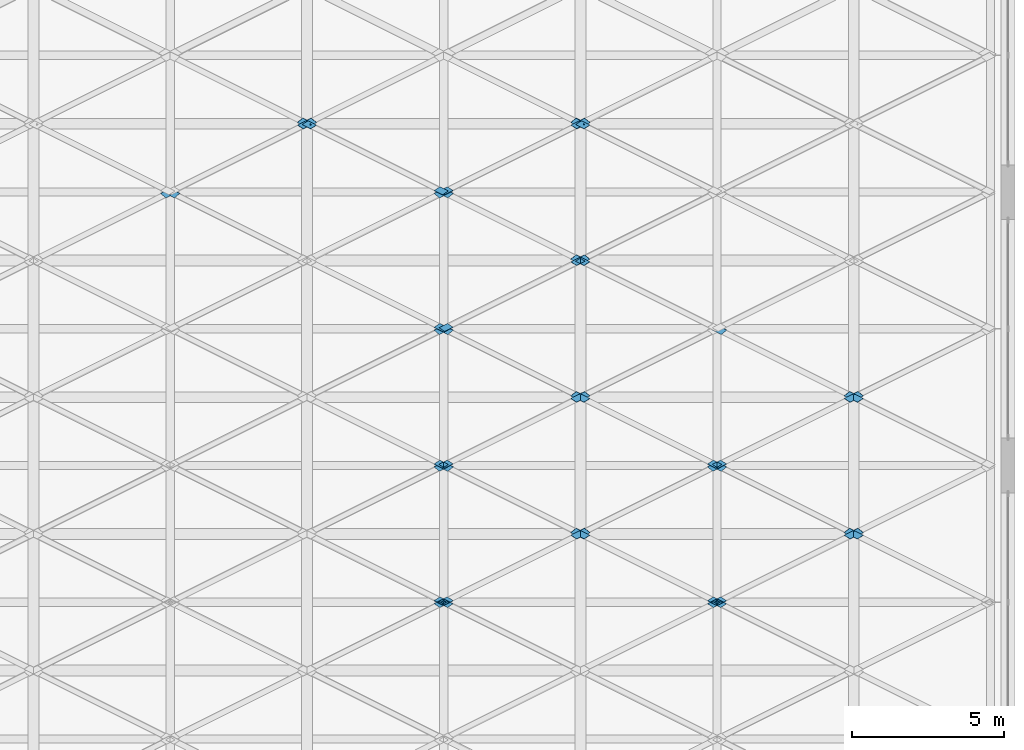
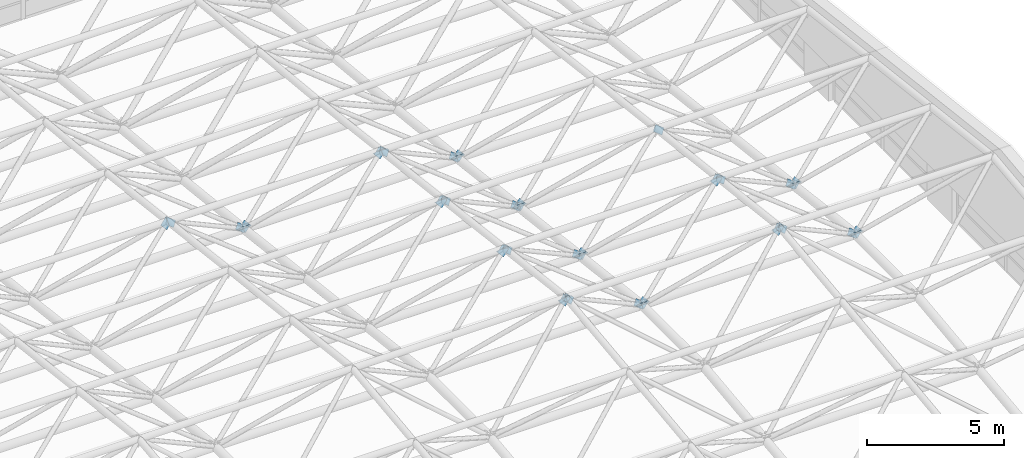
# One storey, part 48 of 53: 55 discrete accessories.
"""IFC4 building model written with IfcOpenShell, lengths in metres."""

from ifc_helpers import new_model, si_unit, direction, frame, origin, place, context, subcontext, project, spatial, polyline, outline, extrude, material, layer, layer_set, type_object, element, save


model = new_model("IFC4")

# Units and contexts
model_context = context("Model", 3, precision=1e-05, world=origin(), true_north=direction((0.0, 1.0)))
body_context = subcontext(model_context, "Body", "Model", "MODEL_VIEW")
ifc_project = project(units=[si_unit("LENGTHUNIT", "METRE"), si_unit("AREAUNIT", "SQUARE_METRE"), si_unit("VOLUMEUNIT", "CUBIC_METRE"), si_unit("PLANEANGLEUNIT", "RADIAN"), si_unit("MASSUNIT", "GRAM", prefix="KILO")], contexts=[model_context])

# Site, building, storey
site_placement = place(None, origin())
site = spatial("IfcSite", under=ifc_project, at=site_placement, CompositionType="ELEMENT")
building_placement = place(site_placement, origin())
building = spatial("IfcBuilding", under=site, at=building_placement, Name="Aravalli Gate Trade Fair Centre", CompositionType="ELEMENT")
storey_placement = place(building_placement, frame((0.0, 0.0, 25.199951171875)))
storey = spatial("IfcBuildingStorey", under=building, at=storey_placement, Name="ROOF LEVEL 2", CompositionType="ELEMENT", Elevation=25.199951171875)

# Discrete accessories
ifc_material = material(Name="Steel E350", Category="steel")
ifc_layer = layer(ifc_material, 0.011962890625)
ifc_layer_set = layer_set([ifc_layer], Name="Steel E350")
discrete_accessory_type = type_object("IfcDiscreteAccessoryType", Name="Gusset plate 291 x 291 x 12", PredefinedType="USERDEFINED", material=ifc_layer_set)
for number, where, z_axis, x_axis, name in (
    (1, (87.121826171875, 77.324462890625, 5.08544921875), (0.000136804439, -0.823750482353, 0.566952488404), (-0.749929392198, 0.374964696099, 0.54498383774), "Gusset plate Space frame web diagonal D3C end A"),
    (2, (96.121826171875, 77.324462890625, 5.08544921875), (0.000136804439, -0.823750482353, 0.566952488404), (-0.749929392198, 0.374964696099, 0.54498383774), "Gusset plate Space frame web diagonal D3C end A"),
):
    element("IfcDiscreteAccessory", number, at=place(storey_placement, frame(where, z_axis=z_axis, x_axis=x_axis)), inside=storey, type_object=discrete_accessory_type, Name=name, ObjectType="GUSSET PLATE", PredefinedType="USERDEFINED", context=body_context, shape_type="SweptSolid", body=[
        extrude(outline(polyline([(0.0, 0.0), (0.37047758647752815, -1.3877787807814457e-17), (0.37050220203048867, -0.2904791260615137), (2.461555296055795e-05, -0.2904791260615137), (0.0, 0.0)])), origin(), (0.0, 0.0, -1.0), 0.011962890625),
    ])
for number, where, z_axis, x_axis, name in (
    (3, (86.68603515625, 77.447998046875, 5.264892578125), (-0.000136804439, -0.823750482353, 0.566952488404), (0.749929392198, 0.374964696099, 0.54498383774), "Gusset plate Space frame web diagonal D3D end A"),
    (4, (95.68603515625, 77.447998046875, 5.264892578125), (-0.000136804439, -0.823750482353, 0.566952488404), (0.749929392198, 0.374964696099, 0.54498383774), "Gusset plate Space frame web diagonal D3D end A"),
):
    element("IfcDiscreteAccessory", number, at=place(storey_placement, frame(where, z_axis=z_axis, x_axis=x_axis)), inside=storey, type_object=discrete_accessory_type, Name=name, ObjectType="GUSSET PLATE", PredefinedType="USERDEFINED", context=body_context, shape_type="SweptSolid", body=[
        extrude(outline(polyline([(0.0, 0.0), (0.37047758647752815, 1.3877787807814457e-17), (0.37045297092456764, -0.2904791260615137), (-2.461555296055795e-05, -0.2904791260615137), (0.0, 0.0)])), origin(), (0.0, 0.0, -1.0), 0.011962890625),
    ])
discrete_accessory_1_placement = place(storey_placement, frame((87.121826171875, 77.675537109375, 5.08544921875), z_axis=(0.000136804439, 0.823750482353, 0.566952488404), x_axis=(-0.749929392198, -0.374964696099, 0.54498383774)))
element("IfcDiscreteAccessory", 5, at=discrete_accessory_1_placement, inside=storey, type_object=discrete_accessory_type, Name="Gusset plate Space frame web diagonal D4A end A", ObjectType="GUSSET PLATE", PredefinedType="USERDEFINED", context=body_context, shape_type="SweptSolid", body=[
    extrude(outline(polyline([(0.0, 0.0), (0.37047758647752815, 1.3877787807814457e-17), (0.37050220203048867, 0.2904791260615137), (2.461555296055795e-05, 0.2904791260615137), (0.0, 0.0)])), origin(), (0.0, 0.0, -1.0), 0.011962890625),
])
discrete_accessory_2_placement = place(storey_placement, frame((91.18603515625, 79.707763671875, 2.132080078125), z_axis=(0.000136804439, 0.823750482353, 0.566952488404), x_axis=(0.749929392198, 0.374964696099, -0.54498383774)))
element("IfcDiscreteAccessory", 6, at=discrete_accessory_2_placement, inside=storey, type_object=discrete_accessory_type, Name="Gusset plate Space frame web diagonal D4A end B", ObjectType="GUSSET PLATE", PredefinedType="USERDEFINED", context=body_context, shape_type="SweptSolid", body=[
    extrude(outline(polyline([(0.0, 0.0), (0.37047758647752815, 1.3877787807814457e-17), (0.37045297092456764, -0.2904791260615137), (-2.461555296055795e-05, -0.2904791260615137), (0.0, 0.0)])), origin(), (0.0, 0.0, -1.0), 0.011962890625),
])
discrete_accessory_3_placement = place(storey_placement, frame((96.121826171875, 77.675537109375, 5.08544921875), z_axis=(0.000136804439, 0.823750482353, 0.566952488404), x_axis=(-0.749929392198, -0.374964696099, 0.54498383774)))
element("IfcDiscreteAccessory", 7, at=discrete_accessory_3_placement, inside=storey, type_object=discrete_accessory_type, Name="Gusset plate Space frame web diagonal D4A end A", ObjectType="GUSSET PLATE", PredefinedType="USERDEFINED", context=body_context, shape_type="SweptSolid", body=[
    extrude(outline(polyline([(0.0, 0.0), (0.37047758647752815, 1.3877787807814457e-17), (0.37050220203048867, 0.2904791260615137), (2.461555296055795e-05, 0.2904791260615137), (0.0, 0.0)])), origin(), (0.0, 0.0, -1.0), 0.011962890625),
])
discrete_accessory_4_placement = place(storey_placement, frame((100.18603515625, 79.707763671875, 2.132080078125), z_axis=(0.000136804439, 0.823750482353, 0.566952488404), x_axis=(0.749929392198, 0.374964696099, -0.54498383774)))
element("IfcDiscreteAccessory", 8, at=discrete_accessory_4_placement, inside=storey, type_object=discrete_accessory_type, Name="Gusset plate Space frame web diagonal D4A end B", ObjectType="GUSSET PLATE", PredefinedType="USERDEFINED", context=body_context, shape_type="SweptSolid", body=[
    extrude(outline(polyline([(0.0, 0.0), (0.37047758647752815, 1.3877787807814457e-17), (0.37045297092456764, -0.2904791260615137), (-2.461555296055795e-05, -0.2904791260615137), (0.0, 0.0)])), origin(), (0.0, 0.0, -1.0), 0.011962890625),
])
discrete_accessory_5_placement = place(storey_placement, frame((87.121826171875, 82.175537109375, 4.54541015625), z_axis=(0.000136804439, 0.823750482353, 0.566952488404), x_axis=(-0.749929392198, -0.374964696099, 0.54498383774)))
element("IfcDiscreteAccessory", 9, at=discrete_accessory_5_placement, inside=storey, type_object=discrete_accessory_type, Name="Gusset plate Space frame web diagonal D4A end A", ObjectType="GUSSET PLATE", PredefinedType="USERDEFINED", context=body_context, shape_type="SweptSolid", body=[
    extrude(outline(polyline([(0.0, 0.0), (0.37047758647752815, 1.3877787807814457e-17), (0.37050220203048867, 0.2904791260615137), (2.461555296055795e-05, 0.2904791260615137), (0.0, 0.0)])), origin(), (0.0, 0.0, -1.0), 0.011962890625),
])
discrete_accessory_6_placement = place(storey_placement, frame((91.18603515625, 84.207763671875, 1.592041015625), z_axis=(0.000136804439, 0.823750482353, 0.566952488404), x_axis=(0.749929392198, 0.374964696099, -0.54498383774)))
element("IfcDiscreteAccessory", 10, at=discrete_accessory_6_placement, inside=storey, type_object=discrete_accessory_type, Name="Gusset plate Space frame web diagonal D4A end B", ObjectType="GUSSET PLATE", PredefinedType="USERDEFINED", context=body_context, shape_type="SweptSolid", body=[
    extrude(outline(polyline([(0.0, 0.0), (0.37047758647752815, 1.3877787807814457e-17), (0.37045297092456764, -0.2904791260615137), (-2.461555296055795e-05, -0.2904791260615137), (0.0, 0.0)])), origin(), (0.0, 0.0, -1.0), 0.011962890625),
])
discrete_accessory_7_placement = place(storey_placement, frame((96.121826171875, 82.175537109375, 4.54541015625), z_axis=(0.000136804439, 0.823750482353, 0.566952488404), x_axis=(-0.749929392198, -0.374964696099, 0.54498383774)))
element("IfcDiscreteAccessory", 11, at=discrete_accessory_7_placement, inside=storey, type_object=discrete_accessory_type, Name="Gusset plate Space frame web diagonal D4A end A", ObjectType="GUSSET PLATE", PredefinedType="USERDEFINED", context=body_context, shape_type="SweptSolid", body=[
    extrude(outline(polyline([(0.0, 0.0), (0.37047758647752815, 1.3877787807814457e-17), (0.37050220203048867, 0.2904791260615137), (2.461555296055795e-05, 0.2904791260615137), (0.0, 0.0)])), origin(), (0.0, 0.0, -1.0), 0.011962890625),
])
discrete_accessory_8_placement = place(storey_placement, frame((100.18603515625, 84.207763671875, 1.592041015625), z_axis=(0.000136804439, 0.823750482353, 0.566952488404), x_axis=(0.749929392198, 0.374964696099, -0.54498383774)))
element("IfcDiscreteAccessory", 12, at=discrete_accessory_8_placement, inside=storey, type_object=discrete_accessory_type, Name="Gusset plate Space frame web diagonal D4A end B", ObjectType="GUSSET PLATE", PredefinedType="USERDEFINED", context=body_context, shape_type="SweptSolid", body=[
    extrude(outline(polyline([(0.0, 0.0), (0.37047758647752815, 1.3877787807814457e-17), (0.37045297092456764, -0.2904791260615137), (-2.461555296055795e-05, -0.2904791260615137), (0.0, 0.0)])), origin(), (0.0, 0.0, -1.0), 0.011962890625),
])
for number, where, z_axis, x_axis, name in (
    (13, (86.68603515625, 77.552001953125, 5.264892578125), (-0.000136804439, 0.823750482353, 0.566952488404), (0.749929392198, -0.374964696099, 0.54498383774), "Gusset plate Space frame web diagonal D4B end A"),
    (14, (95.68603515625, 77.552001953125, 5.264892578125), (-0.000136804439, 0.823750482353, 0.566952488404), (0.749929392198, -0.374964696099, 0.54498383774), "Gusset plate Space frame web diagonal D4B end A"),
):
    element("IfcDiscreteAccessory", number, at=place(storey_placement, frame(where, z_axis=z_axis, x_axis=x_axis)), inside=storey, type_object=discrete_accessory_type, Name=name, ObjectType="GUSSET PLATE", PredefinedType="USERDEFINED", context=body_context, shape_type="SweptSolid", body=[
        extrude(outline(polyline([(0.0, 0.0), (0.37047758647752815, -1.3877787807814457e-17), (0.37045297092456764, 0.2904791260615137), (-2.461555296055795e-05, 0.2904791260615137), (0.0, 0.0)])), origin(), (0.0, 0.0, -1.0), 0.011962890625),
    ])
for number, where, z_axis, x_axis, name in (
    (15, (91.621826171875, 79.584228515625, 2.3115234375), (-0.000136804439, 0.823750482353, 0.566952488404), (-0.749929392198, 0.374964696099, -0.54498383774), "Gusset plate Space frame web diagonal D4B end B"),
    (16, (100.621826171875, 79.584228515625, 2.3115234375), (-0.000136804439, 0.823750482353, 0.566952488404), (-0.749929392198, 0.374964696099, -0.54498383774), "Gusset plate Space frame web diagonal D4B end B"),
):
    element("IfcDiscreteAccessory", number, at=place(storey_placement, frame(where, z_axis=z_axis, x_axis=x_axis)), inside=storey, type_object=discrete_accessory_type, Name=name, ObjectType="GUSSET PLATE", PredefinedType="USERDEFINED", context=body_context, shape_type="SweptSolid", body=[
        extrude(outline(polyline([(0.0, 0.0), (0.37047758647752815, -1.3877787807814457e-17), (0.37050220203048867, -0.2904791260615137), (2.461555296055795e-05, -0.2904791260615137), (0.0, 0.0)])), origin(), (0.0, 0.0, -1.0), 0.011962890625),
    ])
for number, where, z_axis, x_axis, name in (
    (17, (86.68603515625, 82.052001953125, 4.724853515625), (-0.000136804439, 0.823750482353, 0.566952488404), (0.749929392198, -0.374964696099, 0.54498383774), "Gusset plate Space frame web diagonal D4B end A"),
    (18, (95.68603515625, 82.052001953125, 4.724853515625), (-0.000136804439, 0.823750482353, 0.566952488404), (0.749929392198, -0.374964696099, 0.54498383774), "Gusset plate Space frame web diagonal D4B end A"),
):
    element("IfcDiscreteAccessory", number, at=place(storey_placement, frame(where, z_axis=z_axis, x_axis=x_axis)), inside=storey, type_object=discrete_accessory_type, Name=name, ObjectType="GUSSET PLATE", PredefinedType="USERDEFINED", context=body_context, shape_type="SweptSolid", body=[
        extrude(outline(polyline([(0.0, 0.0), (0.37047758647752815, -1.3877787807814457e-17), (0.37045297092456764, 0.2904791260615137), (-2.461555296055795e-05, 0.2904791260615137), (0.0, 0.0)])), origin(), (0.0, 0.0, -1.0), 0.011962890625),
    ])
for number, where, z_axis, x_axis, name in (
    (19, (91.621826171875, 84.084228515625, 1.771484375), (-0.000136804439, 0.823750482353, 0.566952488404), (-0.749929392198, 0.374964696099, -0.54498383774), "Gusset plate Space frame web diagonal D4B end B"),
    (20, (100.621826171875, 84.084228515625, 1.771484375), (-0.000136804439, 0.823750482353, 0.566952488404), (-0.749929392198, 0.374964696099, -0.54498383774), "Gusset plate Space frame web diagonal D4B end B"),
):
    element("IfcDiscreteAccessory", number, at=place(storey_placement, frame(where, z_axis=z_axis, x_axis=x_axis)), inside=storey, type_object=discrete_accessory_type, Name=name, ObjectType="GUSSET PLATE", PredefinedType="USERDEFINED", context=body_context, shape_type="SweptSolid", body=[
        extrude(outline(polyline([(0.0, 0.0), (0.37047758647752815, -1.3877787807814457e-17), (0.37050220203048867, -0.2904791260615137), (2.461555296055795e-05, -0.2904791260615137), (0.0, 0.0)])), origin(), (0.0, 0.0, -1.0), 0.011962890625),
    ])
discrete_accessory_9_placement = place(storey_placement, frame((87.138671875, 81.80859375, 4.567138671875), z_axis=(0.000259688153, -0.77158167438, 0.636130216483), x_axis=(-0.786189750281, 0.392961505637, 0.476955901148)))
element("IfcDiscreteAccessory", 21, at=discrete_accessory_9_placement, inside=storey, type_object=discrete_accessory_type, Name="Gusset plate Space frame web diagonal D4C end A", ObjectType="GUSSET PLATE", PredefinedType="USERDEFINED", context=body_context, shape_type="SweptSolid", body=[
    extrude(outline(polyline([(0.0, 0.0), (0.37047009323158403, 1.3877787807814457e-17), (0.3706453255393415, -0.29059138113822636), (7.929444017017173e-05, -0.29046925152010133), (0.0, 0.0)])), origin(), (0.0, 0.0, -1.0), 0.011962890625),
])
discrete_accessory_10_placement = place(storey_placement, frame((91.181884765625, 79.786865234375, 2.1142578125), z_axis=(0.000259222443, -0.771843687699, 0.635812279342), x_axis=(0.78618965885, -0.392765328311, -0.477117613586)))
element("IfcDiscreteAccessory", 22, at=discrete_accessory_10_placement, inside=storey, type_object=discrete_accessory_type, Name="Gusset plate Space frame web diagonal D4C end B", ObjectType="GUSSET PLATE", PredefinedType="USERDEFINED", context=body_context, shape_type="SweptSolid", body=[
    extrude(outline(polyline([(0.0, 0.0), (0.3704701052045229, 2.7755575615628914e-17), (0.3703907868210381, 0.2904692667840814), (-7.931838348480824e-05, 0.2904692667840814), (0.0, 0.0)])), origin(), (0.0, 0.0, -1.0), 0.011962890625),
])
discrete_accessory_11_placement = place(storey_placement, frame((96.138671875, 81.80859375, 4.567138671875), z_axis=(0.000259688153, -0.77158167438, 0.636130216483), x_axis=(-0.786189750281, 0.392961505637, 0.476955901148)))
element("IfcDiscreteAccessory", 23, at=discrete_accessory_11_placement, inside=storey, type_object=discrete_accessory_type, Name="Gusset plate Space frame web diagonal D4C end A", ObjectType="GUSSET PLATE", PredefinedType="USERDEFINED", context=body_context, shape_type="SweptSolid", body=[
    extrude(outline(polyline([(0.0, 0.0), (0.37047009323158403, 1.3877787807814457e-17), (0.3706453255393415, -0.29059138113822636), (7.929444017017173e-05, -0.29046925152010133), (0.0, 0.0)])), origin(), (0.0, 0.0, -1.0), 0.011962890625),
])
discrete_accessory_12_placement = place(storey_placement, frame((100.181884765625, 79.786865234375, 2.1142578125), z_axis=(0.000259222443, -0.771843687699, 0.635812279342), x_axis=(0.78618965885, -0.392765328311, -0.477117613586)))
element("IfcDiscreteAccessory", 24, at=discrete_accessory_12_placement, inside=storey, type_object=discrete_accessory_type, Name="Gusset plate Space frame web diagonal D4C end B", ObjectType="GUSSET PLATE", PredefinedType="USERDEFINED", context=body_context, shape_type="SweptSolid", body=[
    extrude(outline(polyline([(0.0, 0.0), (0.3704701052045229, 2.7755575615628914e-17), (0.3703907868210381, 0.2904692667840814), (-7.931838348480824e-05, 0.2904692667840814), (0.0, 0.0)])), origin(), (0.0, 0.0, -1.0), 0.011962890625),
])
discrete_accessory_13_placement = place(storey_placement, frame((87.138671875, 86.30859375, 4.027099609375), z_axis=(0.000259688153, -0.77158167438, 0.636130216483), x_axis=(-0.786189750281, 0.392961505637, 0.476955901148)))
element("IfcDiscreteAccessory", 25, at=discrete_accessory_13_placement, inside=storey, type_object=discrete_accessory_type, Name="Gusset plate Space frame web diagonal D4C end A", ObjectType="GUSSET PLATE", PredefinedType="USERDEFINED", context=body_context, shape_type="SweptSolid", body=[
    extrude(outline(polyline([(0.0, 0.0), (0.37047009323158403, 1.3877787807814457e-17), (0.3706453255393415, -0.29059138113822636), (7.929444017017173e-05, -0.29046925152010133), (0.0, 0.0)])), origin(), (0.0, 0.0, -1.0), 0.011962890625),
])
discrete_accessory_14_placement = place(storey_placement, frame((91.181884765625, 84.286865234375, 1.574462890625), z_axis=(0.000589123978, -0.771792295466, 0.635874441689), x_axis=(0.785942550469, -0.392803472142, -0.477493182816)))
element("IfcDiscreteAccessory", 26, at=discrete_accessory_14_placement, inside=storey, type_object=discrete_accessory_type, Name="Gusset plate Space frame web diagonal D4C end B", ObjectType="GUSSET PLATE", PredefinedType="USERDEFINED", context=body_context, shape_type="SweptSolid", body=[
    extrude(outline(polyline([(0.0, 0.0), (0.3705866429803553, 2.7755575615628914e-17), (0.37039124031354775, 0.29046920151748473), (-7.882718272163303e-05, 0.29032116611826925), (0.0, 0.0)])), origin(), (0.0, 0.0, -1.0), 0.011962890625),
])
discrete_accessory_15_placement = place(storey_placement, frame((96.138671875, 86.30859375, 4.027099609375), z_axis=(0.000259688153, -0.77158167438, 0.636130216483), x_axis=(-0.786189750281, 0.392961505637, 0.476955901148)))
element("IfcDiscreteAccessory", 27, at=discrete_accessory_15_placement, inside=storey, type_object=discrete_accessory_type, Name="Gusset plate Space frame web diagonal D4C end A", ObjectType="GUSSET PLATE", PredefinedType="USERDEFINED", context=body_context, shape_type="SweptSolid", body=[
    extrude(outline(polyline([(0.0, 0.0), (0.37047009323158403, 1.3877787807814457e-17), (0.3706453255393415, -0.29059138113822636), (7.929444017017173e-05, -0.29046925152010133), (0.0, 0.0)])), origin(), (0.0, 0.0, -1.0), 0.011962890625),
])
discrete_accessory_16_placement = place(storey_placement, frame((100.181884765625, 84.286865234375, 1.574462890625), z_axis=(0.000589123978, -0.771792295466, 0.635874441689), x_axis=(0.785942550469, -0.392803472142, -0.477493182816)))
element("IfcDiscreteAccessory", 28, at=discrete_accessory_16_placement, inside=storey, type_object=discrete_accessory_type, Name="Gusset plate Space frame web diagonal D4C end B", ObjectType="GUSSET PLATE", PredefinedType="USERDEFINED", context=body_context, shape_type="SweptSolid", body=[
    extrude(outline(polyline([(0.0, 0.0), (0.3705866429803553, 2.7755575615628914e-17), (0.37039124031354775, 0.29046920151748473), (-7.882718272163303e-05, 0.29032116611826925), (0.0, 0.0)])), origin(), (0.0, 0.0, -1.0), 0.011962890625),
])
for number, where, z_axis, x_axis, name in (
    (29, (86.681884765625, 81.953857421875, 4.743408203125), (-0.000259688153, -0.77158167438, 0.636130216483), (0.785986034617, 0.393126352276, 0.477155765483), "Gusset plate Space frame web diagonal D4D end A"),
    (30, (95.681884765625, 81.953857421875, 4.743408203125), (-0.000259688153, -0.77158167438, 0.636130216483), (0.785986034617, 0.393126352276, 0.477155765483), "Gusset plate Space frame web diagonal D4D end A"),
):
    element("IfcDiscreteAccessory", number, at=place(storey_placement, frame(where, z_axis=z_axis, x_axis=x_axis)), inside=storey, type_object=discrete_accessory_type, Name=name, ObjectType="GUSSET PLATE", PredefinedType="USERDEFINED", context=body_context, shape_type="SweptSolid", body=[
        extrude(outline(polyline([(0.0, 0.0), (0.3705660512246577, -1.3877787807814457e-17), (0.3702950470274762, -0.2905913076038385), (-0.0001750260838329909, -0.2904692096111498), (0.0, 0.0)])), origin(), (0.0, 0.0, -1.0), 0.011962890625),
    ])
for number, where, z_axis, x_axis, name in (
    (31, (91.638671875, 79.93212890625, 2.29052734375), (-0.000259222443, -0.771843687699, 0.635812279342), (-0.78618965885, -0.392765328311, -0.477117613586), "Gusset plate Space frame web diagonal D4D end B"),
    (32, (100.638671875, 79.93212890625, 2.29052734375), (-0.000259222443, -0.771843687699, 0.635812279342), (-0.78618965885, -0.392765328311, -0.477117613586), "Gusset plate Space frame web diagonal D4D end B"),
):
    element("IfcDiscreteAccessory", number, at=place(storey_placement, frame(where, z_axis=z_axis, x_axis=x_axis)), inside=storey, type_object=discrete_accessory_type, Name=name, ObjectType="GUSSET PLATE", PredefinedType="USERDEFINED", context=body_context, shape_type="SweptSolid", body=[
        extrude(outline(polyline([(0.0, 0.0), (0.3704701052045229, -2.7755575615628914e-17), (0.3705494235880077, 0.29046926678408136), (7.931838348480824e-05, 0.2904692667840814), (0.0, 0.0)])), origin(), (0.0, 0.0, -1.0), 0.011962890625),
    ])
discrete_accessory_17_placement = place(storey_placement, frame((86.681884765625, 86.453857421875, 4.203369140625), z_axis=(-0.000259688153, -0.77158167438, 0.636130216483), x_axis=(0.785986034617, 0.393126352276, 0.477155765483)))
element("IfcDiscreteAccessory", 33, at=discrete_accessory_17_placement, inside=storey, type_object=discrete_accessory_type, Name="Gusset plate Space frame web diagonal D4D end A", ObjectType="GUSSET PLATE", PredefinedType="USERDEFINED", context=body_context, shape_type="SweptSolid", body=[
    extrude(outline(polyline([(0.0, 0.0), (0.3705660512246577, -1.3877787807814457e-17), (0.3702950470274762, -0.2905913076038385), (-0.0001750260838329909, -0.2904692096111498), (0.0, 0.0)])), origin(), (0.0, 0.0, -1.0), 0.011962890625),
])
for number, where, z_axis, x_axis, name in (
    (34, (91.638671875, 84.43212890625, 1.75048828125), (-0.000589123978, -0.771792295466, 0.635874441689), (-0.786189552673, -0.392603629975, -0.477250853324), "Gusset plate Space frame web diagonal D4D end B"),
    (35, (100.638671875, 84.43212890625, 1.75048828125), (-0.000589123978, -0.771792295466, 0.635874441689), (-0.786189552673, -0.392603629975, -0.477250853324), "Gusset plate Space frame web diagonal D4D end B"),
):
    element("IfcDiscreteAccessory", number, at=place(storey_placement, frame(where, z_axis=z_axis, x_axis=x_axis)), inside=storey, type_object=discrete_accessory_type, Name=name, ObjectType="GUSSET PLATE", PredefinedType="USERDEFINED", context=body_context, shape_type="SweptSolid", body=[
        extrude(outline(polyline([(0.0, 0.0), (0.3704700970728539, -1.3877787807814457e-17), (0.37054943172141785, 0.29046925640835186), (-3.7181673048419794e-05, 0.2903211744387922), (0.0, 0.0)])), origin(), (0.0, 0.0, -1.0), 0.011962890625),
    ])
discrete_accessory_18_placement = place(storey_placement, frame((87.12158203125, 86.675537109375, 4.005126953125), z_axis=(-5.9235462e-05, 0.824355565608, 0.566072343383), x_axis=(-0.74937131646, -0.374861397834, 0.545821914622)))
element("IfcDiscreteAccessory", 36, at=discrete_accessory_18_placement, inside=storey, type_object=discrete_accessory_type, Name="Gusset plate Space frame web diagonal D5A end A", ObjectType="GUSSET PLATE", PredefinedType="USERDEFINED", context=body_context, shape_type="SweptSolid", body=[
    extrude(outline(polyline([(0.0, 0.0), (0.3704277020236978, 0.0), (0.37073891027907924, 0.290526143046557), (-5.001029550574798e-06, 0.29053697785674903), (0.0, 0.0)])), origin(), (0.0, 0.0, -1.0), 0.011962890625),
])
discrete_accessory_19_placement = place(storey_placement, frame((91.18603515625, 88.707763671875, 1.047119140625), z_axis=(-0.000356491483, 0.824386555112, 0.566027102411), x_axis=(0.749660046124, 0.374830119882, -0.545446786108)))
element("IfcDiscreteAccessory", 37, at=discrete_accessory_19_placement, inside=storey, type_object=discrete_accessory_type, Name="Gusset plate Space frame web diagonal D5A end B", ObjectType="GUSSET PLATE", PredefinedType="USERDEFINED", context=body_context, shape_type="SweptSolid", body=[
    extrude(outline(polyline([(0.0, 0.0), (0.37061069570280314, 0.0), (0.3704262257769532, -0.2905262593825685), (-1.4474536517566916e-06, -0.29068783726431885), (0.0, 0.0)])), origin(), (0.0, 0.0, -1.0), 0.011962890625),
])
discrete_accessory_20_placement = place(storey_placement, frame((82.18603515625, 93.207763671875, 0.4970703125), z_axis=(-0.000338926475, 0.824215745649, 0.566275807141), x_axis=(0.749929468437, 0.374811008577, -0.545089442403)))
element("IfcDiscreteAccessory", 38, at=discrete_accessory_20_placement, inside=storey, type_object=discrete_accessory_type, Name="Gusset plate Space frame web diagonal D5A end B", ObjectType="GUSSET PLATE", PredefinedType="USERDEFINED", context=body_context, shape_type="SweptSolid", body=[
    extrude(outline(polyline([(0.0, 0.0), (0.3704775800363668, -1.3877787807814457e-17), (0.37054452148215117, -0.29037536695413646), (0.00011695121776518491, -0.29068780553250784), (0.0, 0.0)])), origin(), (0.0, 0.0, -1.0), 0.011962890625),
])
discrete_accessory_21_placement = place(storey_placement, frame((87.12158203125, 91.175537109375, 3.455078125), z_axis=(-5.9235462e-05, 0.824355565608, 0.566072343383), x_axis=(-0.74910175115, -0.37503400761, 0.546073309694)))
element("IfcDiscreteAccessory", 39, at=discrete_accessory_21_placement, inside=storey, type_object=discrete_accessory_type, Name="Gusset plate Space frame web diagonal D5A end A", ObjectType="GUSSET PLATE", PredefinedType="USERDEFINED", context=body_context, shape_type="SweptSolid", body=[
    extrude(outline(polyline([(0.0, 0.0), (0.37056099002046733, 1.3877787807814457e-17), (0.3708571273038952, 0.29037522366126584), (0.00024656979283793623, 0.29068772448272373), (0.0, 0.0)])), origin(), (0.0, 0.0, -1.0), 0.011962890625),
])
discrete_accessory_22_placement = place(storey_placement, frame((91.18603515625, 93.207763671875, 0.4970703125), z_axis=(-0.000338926475, 0.824215745649, 0.566275807141), x_axis=(0.749929468437, 0.374811008577, -0.545089442403)))
element("IfcDiscreteAccessory", 40, at=discrete_accessory_22_placement, inside=storey, type_object=discrete_accessory_type, Name="Gusset plate Space frame web diagonal D5A end B", ObjectType="GUSSET PLATE", PredefinedType="USERDEFINED", context=body_context, shape_type="SweptSolid", body=[
    extrude(outline(polyline([(0.0, 0.0), (0.3704775800363668, -1.3877787807814457e-17), (0.37054452148215117, -0.29037536695413646), (0.00011695121776518491, -0.29068780553250784), (0.0, 0.0)])), origin(), (0.0, 0.0, -1.0), 0.011962890625),
])
discrete_accessory_23_placement = place(storey_placement, frame((86.68603515625, 86.55224609375, 4.1845703125), z_axis=(5.9235462e-05, 0.824355565608, 0.566072343383), x_axis=(0.749390667151, -0.374849001628, 0.545803860343)))
element("IfcDiscreteAccessory", 41, at=discrete_accessory_23_placement, inside=storey, type_object=discrete_accessory_type, Name="Gusset plate Space frame web diagonal D5B end A", ObjectType="GUSSET PLATE", PredefinedType="USERDEFINED", context=body_context, shape_type="SweptSolid", body=[
    extrude(outline(polyline([(0.0, 0.0), (0.37074391146695085, 0.0), (0.3704411936966931, 0.2905261520174016), (1.3491831181253189e-05, 0.2905369775865267), (0.0, 0.0)])), origin(), (0.0, 0.0, -1.0), 0.011962890625),
])
discrete_accessory_24_placement = place(storey_placement, frame((91.62158203125, 88.58447265625, 1.226806640625), z_axis=(0.000356491483, 0.824386555112, 0.566027102411), x_axis=(-0.749371292409, 0.375015088164, -0.54571636384)))
element("IfcDiscreteAccessory", 42, at=discrete_accessory_24_placement, inside=storey, type_object=discrete_accessory_type, Name="Gusset plate Space frame web diagonal D5B end B", ObjectType="GUSSET PLATE", PredefinedType="USERDEFINED", context=body_context, shape_type="SweptSolid", body=[
    extrude(outline(polyline([(0.0, 0.0), (0.3704277084701571, -1.3877787807814457e-17), (0.3707389038272042, -0.29052615127976134), (0.00012824338136119273, -0.2906878089792164), (0.0, 0.0)])), origin(), (0.0, 0.0, -1.0), 0.011962890625),
])
discrete_accessory_25_placement = place(storey_placement, frame((86.68603515625, 91.05224609375, 3.634765625), z_axis=(5.9235462e-05, 0.824355565608, 0.566072343383), x_axis=(0.749660070237, -0.374676343996, 0.545552395598)))
element("IfcDiscreteAccessory", 43, at=discrete_accessory_25_placement, inside=storey, type_object=discrete_accessory_type, Name="Gusset plate Space frame web diagonal D5B end A", ObjectType="GUSSET PLATE", PredefinedType="USERDEFINED", context=body_context, shape_type="SweptSolid", body=[
    extrude(outline(polyline([(0.0, 0.0), (0.3706106892622231, 1.3877787807814457e-17), (0.3705593979521325, 0.2903753701380719), (-1.4603348369723879e-06, 0.29068782905287593), (0.0, 0.0)])), origin(), (0.0, 0.0, -1.0), 0.011962890625),
])
for number, where, z_axis, x_axis, name in (
    (44, (82.62158203125, 93.08447265625, 0.6767578125), (0.000338926475, 0.824215745649, 0.566275807141), (-0.74937124219, 0.375168906268, -0.545610697428), "Gusset plate Space frame web diagonal D5B end B"),
    (45, (91.62158203125, 93.08447265625, 0.6767578125), (0.000338926475, 0.824215745649, 0.566275807141), (-0.74937124219, 0.375168906268, -0.545610697428), "Gusset plate Space frame web diagonal D5B end B"),
):
    element("IfcDiscreteAccessory", number, at=place(storey_placement, frame(where, z_axis=z_axis, x_axis=x_axis)), inside=storey, type_object=discrete_accessory_type, Name=name, ObjectType="GUSSET PLATE", PredefinedType="USERDEFINED", context=body_context, shape_type="SweptSolid", body=[
        extrude(outline(polyline([(0.0, 0.0), (0.3704277020281311, -2.7755575615628914e-17), (0.37060567875441897, -0.29037532012757467), (0.00012823049953920862, -0.29068780077573153), (0.0, 0.0)])), origin(), (0.0, 0.0, -1.0), 0.011962890625),
    ])
for number, where, z_axis, x_axis, name in (
    (46, (78.138916015625, 90.808349609375, 3.477294921875), (-6.9765199e-05, -0.771154883137, 0.636647580178), (-0.786484474244, 0.393242254842, 0.476238071536), "Gusset plate Space frame web diagonal D5C end A"),
    (47, (87.138916015625, 90.808349609375, 3.477294921875), (-6.9765199e-05, -0.771154883137, 0.636647580178), (-0.786484474244, 0.393242254842, 0.476238071536), "Gusset plate Space frame web diagonal D5C end A"),
):
    element("IfcDiscreteAccessory", number, at=place(storey_placement, frame(where, z_axis=z_axis, x_axis=x_axis)), inside=storey, type_object=discrete_accessory_type, Name=name, ObjectType="GUSSET PLATE", PredefinedType="USERDEFINED", context=body_context, shape_type="SweptSolid", body=[
        extrude(outline(polyline([(0.0, 0.0), (0.37064165383501635, 1.3877787807814457e-17), (0.3706783195979393, -0.29059144692340316), (0.00022867857401766278, -0.2904406632211646), (0.0, 0.0)])), origin(), (0.0, 0.0, -1.0), 0.011962890625),
    ])
discrete_accessory_26_placement = place(storey_placement, frame((91.181884765625, 88.786865234375, 1.029052734375), z_axis=(-6.9765199e-05, -0.771154883137, 0.636647580178), x_axis=(0.786233023991, -0.393446013556, -0.476484906794)))
element("IfcDiscreteAccessory", 48, at=discrete_accessory_26_placement, inside=storey, type_object=discrete_accessory_type, Name="Gusset plate Space frame web diagonal D5C end B", ObjectType="GUSSET PLATE", PredefinedType="USERDEFINED", context=body_context, shape_type="SweptSolid", body=[
    extrude(outline(polyline([(0.0, 0.0), (0.37044967171058096, 2.7755575615628914e-17), (0.3702947268495056, 0.290591407927876), (-0.0003468962829482891, 0.29044054608337494), (0.0, 0.0)])), origin(), (0.0, 0.0, -1.0), 0.011962890625),
])
for number, where, z_axis, x_axis, name in (
    (49, (82.181884765625, 93.286865234375, 0.479248046875), (0.000260921892, -0.770886805608, 0.636972106814), (0.786233024012, -0.393446097564, -0.476484837392), "Gusset plate Space frame web diagonal D5C end B"),
    (50, (91.181884765625, 93.286865234375, 0.479248046875), (0.000260921892, -0.770886805608, 0.636972106814), (0.786233024012, -0.393446097564, -0.476484837392), "Gusset plate Space frame web diagonal D5C end B"),
):
    element("IfcDiscreteAccessory", number, at=place(storey_placement, frame(where, z_axis=z_axis, x_axis=x_axis)), inside=storey, type_object=discrete_accessory_type, Name=name, ObjectType="GUSSET PLATE", PredefinedType="USERDEFINED", context=body_context, shape_type="SweptSolid", body=[
        extrude(outline(polyline([(0.0, 0.0), (0.3704496717105797, 1.3877787807814457e-17), (0.37041105616888137, 0.29044341854454775), (-0.00023056696357631745, 0.2902925567125407), (0.0, 0.0)])), origin(), (0.0, 0.0, -1.0), 0.011962890625),
    ])
for number, where, z_axis, x_axis, name in (
    (51, (77.681884765625, 90.953857421875, 3.653564453125), (6.9765199e-05, -0.771154883137, 0.636647580178), (0.786233023991, 0.393446013556, 0.476484906794), "Gusset plate Space frame web diagonal D5D end A"),
    (52, (86.681884765625, 90.953857421875, 3.653564453125), (6.9765199e-05, -0.771154883137, 0.636647580178), (0.786233023991, 0.393446013556, 0.476484906794), "Gusset plate Space frame web diagonal D5D end A"),
):
    element("IfcDiscreteAccessory", number, at=place(storey_placement, frame(where, z_axis=z_axis, x_axis=x_axis)), inside=storey, type_object=discrete_accessory_type, Name=name, ObjectType="GUSSET PLATE", PredefinedType="USERDEFINED", context=body_context, shape_type="SweptSolid", body=[
        extrude(outline(polyline([(0.0, 0.0), (0.37044967171058096, -2.7755575615628914e-17), (0.3702947268495056, -0.290591407927876), (-0.0003468962829482891, -0.29044054608337494), (0.0, 0.0)])), origin(), (0.0, 0.0, -1.0), 0.011962890625),
    ])
discrete_accessory_27_placement = place(storey_placement, frame((91.638916015625, 88.932373046875, 1.205322265625), z_axis=(6.9765199e-05, -0.771154883137, 0.636647580178), x_axis=(-0.786484474244, -0.393242254842, -0.476238071536)))
element("IfcDiscreteAccessory", 53, at=discrete_accessory_27_placement, inside=storey, type_object=discrete_accessory_type, Name="Gusset plate Space frame web diagonal D5D end B", ObjectType="GUSSET PLATE", PredefinedType="USERDEFINED", context=body_context, shape_type="SweptSolid", body=[
    extrude(outline(polyline([(0.0, 0.0), (0.37064165383501635, -1.3877787807814457e-17), (0.3706783195979393, 0.29059144692340316), (0.00022867857401766278, 0.2904406632211646), (0.0, 0.0)])), origin(), (0.0, 0.0, -1.0), 0.011962890625),
])
for number, where, z_axis, x_axis, name in (
    (54, (82.638916015625, 93.432373046875, 0.6552734375), (-0.000260921892, -0.770886805608, 0.636972106814), (-0.786484474223, -0.393242170877, -0.476238140902), "Gusset plate Space frame web diagonal D5D end B"),
    (55, (91.638916015625, 93.432373046875, 0.6552734375), (-0.000260921892, -0.770886805608, 0.636972106814), (-0.786484474223, -0.393242170877, -0.476238140902), "Gusset plate Space frame web diagonal D5D end B"),
):
    element("IfcDiscreteAccessory", number, at=place(storey_placement, frame(where, z_axis=z_axis, x_axis=x_axis)), inside=storey, type_object=discrete_accessory_type, Name=name, ObjectType="GUSSET PLATE", PredefinedType="USERDEFINED", context=body_context, shape_type="SweptSolid", body=[
        extrude(outline(polyline([(0.0, 0.0), (0.37064165383501513, -1.3877787807814457e-17), (0.37056205053393565, 0.29044341020294784), (0.00011240951001027788, 0.2902926265131968), (0.0, 0.0)])), origin(), (0.0, 0.0, -1.0), 0.011962890625),
    ])

save(model, "model.ifc")
